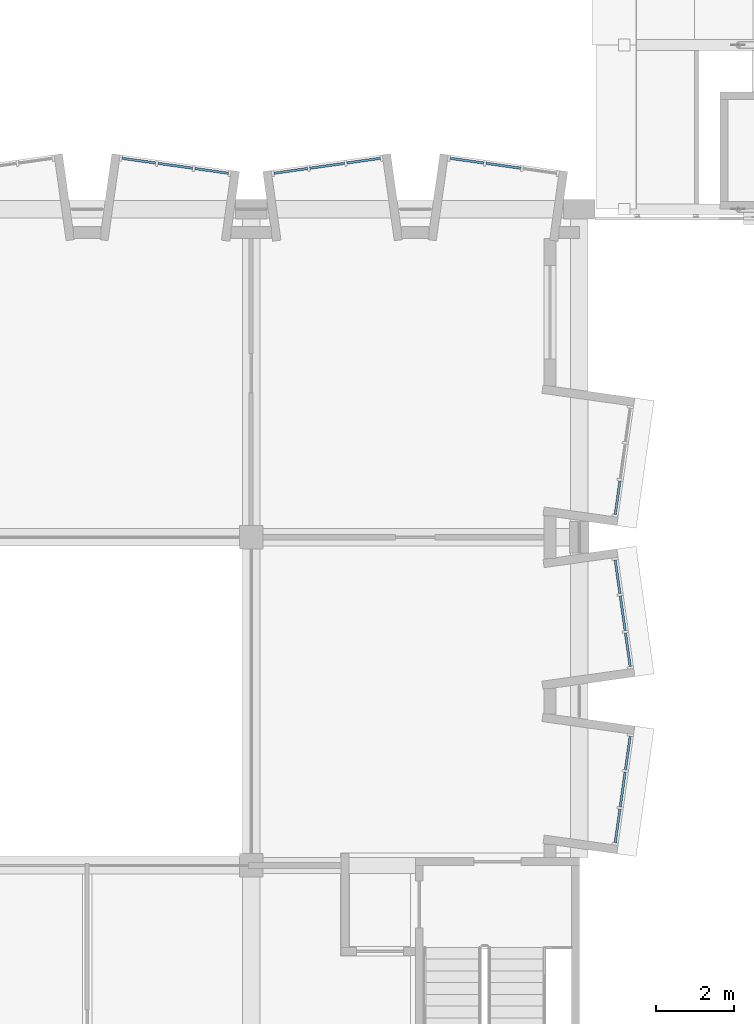
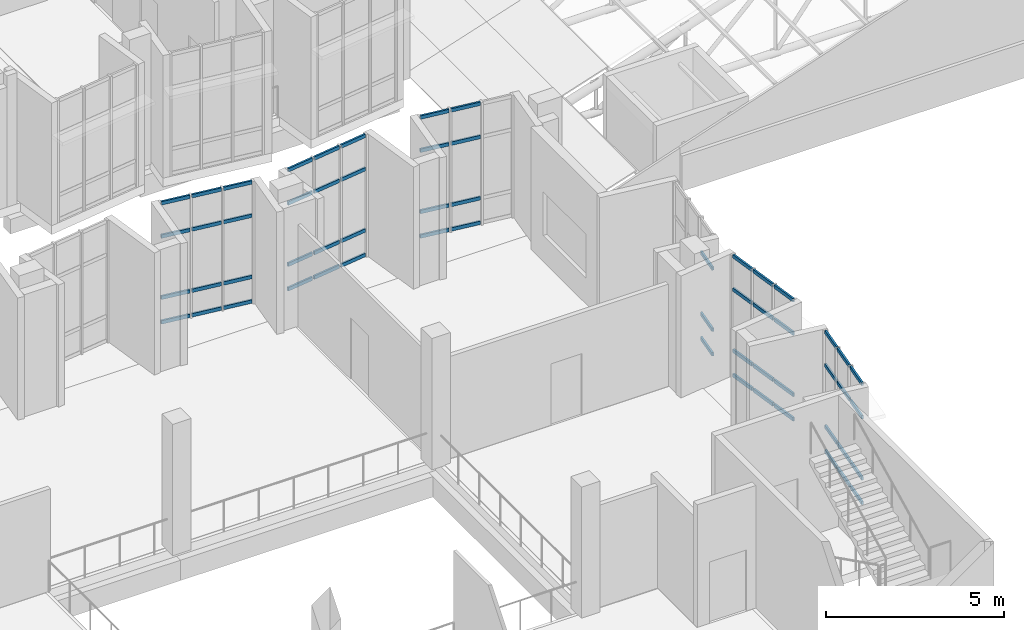
# One storey, part 58 of 95: 59 members, 6 elements without a shape of their own.
"""IFC4 building model written with IfcOpenShell, lengths in metres."""

from ifc_helpers import new_model, si_unit, direction, frame, origin, origin_2d, place, context, subcontext, project, spatial, rectangle, extrude, material, layer, layer_set, material_profile, profile_set, type_object, element, aggregate, save


model = new_model("IFC4")

# Units and contexts
model_context = context("Model", 3, precision=1e-05, world=origin(), true_north=direction((0.0, 1.0)))
body_context = subcontext(model_context, "Body", "Model", "MODEL_VIEW")
ifc_project = project(units=[si_unit("LENGTHUNIT", "METRE"), si_unit("AREAUNIT", "SQUARE_METRE"), si_unit("VOLUMEUNIT", "CUBIC_METRE"), si_unit("PLANEANGLEUNIT", "RADIAN"), si_unit("MASSUNIT", "GRAM", prefix="KILO")], contexts=[model_context])

# Site, building, storey
site_placement = place(None, origin())
site = spatial("IfcSite", under=ifc_project, at=site_placement, CompositionType="ELEMENT")
building_placement = place(site_placement, origin())
building = spatial("IfcBuilding", under=site, at=building_placement, Name="Kiln Court Media Centre", CompositionType="ELEMENT")
storey_placement = place(building_placement, frame((0.0, 0.0, 24.60009765625)))
storey = spatial("IfcBuildingStorey", under=building, at=storey_placement, Name="L05", CompositionType="ELEMENT", Elevation=24.60009765625)

# Curtain wall, members
ifc_material_1 = material(Name="Aluminium 6063-T6", Category="aluminium")
ifc_layer = layer(ifc_material_1, 0.1201171875)
ifc_layer_set = layer_set([ifc_layer], Name="Aluminium unitised bay curtain wall")
curtain_wall_type = type_object("IfcCurtainWallType", Name="Aluminium unitised bay curtain wall", PredefinedType="USERDEFINED", material=ifc_layer_set)
curtain_wall_1_placement = place(storey_placement, origin())
curtain_wall_1 = element("IfcCurtainWall", 1, at=curtain_wall_1_placement, inside=storey, type_object=curtain_wall_type, Name="BAY V6A-E-L05-03 front", ObjectType="UNITISED CURTAIN WALL", PredefinedType="USERDEFINED")
ifc_material_2 = material(Name="Aluminium 6063-T6", Category="aluminium")
ifc_material_profile = material_profile(ifc_material_2, rectangle(XDim=0.06005859375, YDim=0.1201171875, at=origin_2d()), Name="Aluminium transom 60x120")
ifc_profile_set = profile_set([ifc_material_profile], Name="Aluminium 6063-T6")
member_type = type_object("IfcMemberType", Name="Aluminium transom 60x120", PredefinedType="USERDEFINED", material=ifc_profile_set)
member_1_placement = place(storey_placement, frame((34.517822265625, 8.982421875, 0.059814453125), z_axis=(0.139133998951, 0.990273563383, 0.0), x_axis=(-0.990273563383, 0.139133998951, 0.0)))
member_1 = element("IfcMember", 2, at=member_1_placement, type_object=member_type, Name="CW5-05 transom 1.1", ObjectType="TRANSOM", PredefinedType="USERDEFINED", context=body_context, shape_type="SweptSolid", body=[
    extrude(rectangle(XDim=0.06005859375, YDim=0.1201171875, at=origin_2d()), origin(), (0.0, 0.0, 1.0), 0.866943359375),
])
member_2_placement = place(storey_placement, frame((34.517822265625, 8.982421875, 0.89990234375), z_axis=(0.139133998951, 0.990273563383, 0.0), x_axis=(-0.990273563383, 0.139133998951, 0.0)))
member_2 = element("IfcMember", 3, at=member_2_placement, type_object=member_type, Name="CW5-05 transom 1.2", ObjectType="TRANSOM", PredefinedType="USERDEFINED", context=body_context, shape_type="SweptSolid", body=[
    extrude(rectangle(XDim=0.06005859375, YDim=0.1201171875, at=origin_2d()), origin(), (0.0, 0.0, 1.0), 0.866943359375),
])
member_3_placement = place(storey_placement, frame((34.517822265625, 8.982421875, 3.0), z_axis=(0.139133998951, 0.990273563383, 0.0), x_axis=(-0.990273563383, 0.139133998951, 0.0)))
member_3 = element("IfcMember", 4, at=member_3_placement, type_object=member_type, Name="CW5-05 transom 1.3", ObjectType="TRANSOM", PredefinedType="USERDEFINED", context=body_context, shape_type="SweptSolid", body=[
    extrude(rectangle(XDim=0.06005859375, YDim=0.1201171875, at=origin_2d()), origin(), (0.0, 0.0, 1.0), 0.866943359375),
])
member_4_placement = place(storey_placement, frame((34.517822265625, 8.982421875, 4.139892578125), z_axis=(0.139133998951, 0.990273563383, 0.0), x_axis=(-0.990273563383, 0.139133998951, 0.0)))
member_4 = element("IfcMember", 5, at=member_4_placement, type_object=member_type, Name="CW5-05 transom 1.4", ObjectType="TRANSOM", PredefinedType="USERDEFINED", context=body_context, shape_type="SweptSolid", body=[
    extrude(rectangle(XDim=0.06005859375, YDim=0.1201171875, at=origin_2d()), origin(), (0.0, 0.0, 1.0), 0.866943359375),
])
member_5_placement = place(storey_placement, frame((34.646728515625, 9.900146484375, 0.059814453125), z_axis=(0.13913384707, 0.990273584723, 0.0), x_axis=(-0.990273584723, 0.13913384707, 0.0)))
member_5 = element("IfcMember", 6, at=member_5_placement, type_object=member_type, Name="CW5-05 transom 2.1", ObjectType="TRANSOM", PredefinedType="USERDEFINED", context=body_context, shape_type="SweptSolid", body=[
    extrude(rectangle(XDim=0.06005859375, YDim=0.1201171875, at=origin_2d()), origin(), (0.0, 0.0, 1.0), 0.896728515625),
])
member_6_placement = place(storey_placement, frame((34.646728515625, 9.900146484375, 0.89990234375), z_axis=(0.13913384707, 0.990273584723, 0.0), x_axis=(-0.990273584723, 0.13913384707, 0.0)))
member_6 = element("IfcMember", 7, at=member_6_placement, type_object=member_type, Name="CW5-05 transom 2.2", ObjectType="TRANSOM", PredefinedType="USERDEFINED", context=body_context, shape_type="SweptSolid", body=[
    extrude(rectangle(XDim=0.06005859375, YDim=0.1201171875, at=origin_2d()), origin(), (0.0, 0.0, 1.0), 0.896728515625),
])
member_7_placement = place(storey_placement, frame((34.646728515625, 9.900146484375, 3.0), z_axis=(0.13913384707, 0.990273584723, 0.0), x_axis=(-0.990273584723, 0.13913384707, 0.0)))
member_7 = element("IfcMember", 8, at=member_7_placement, type_object=member_type, Name="CW5-05 transom 2.3", ObjectType="TRANSOM", PredefinedType="USERDEFINED", context=body_context, shape_type="SweptSolid", body=[
    extrude(rectangle(XDim=0.06005859375, YDim=0.1201171875, at=origin_2d()), origin(), (0.0, 0.0, 1.0), 0.896728515625),
])
member_8_placement = place(storey_placement, frame((34.646728515625, 9.900146484375, 4.139892578125), z_axis=(0.13913384707, 0.990273584723, 0.0), x_axis=(-0.990273584723, 0.13913384707, 0.0)))
member_8 = element("IfcMember", 9, at=member_8_placement, type_object=member_type, Name="CW5-05 transom 2.4", ObjectType="TRANSOM", PredefinedType="USERDEFINED", context=body_context, shape_type="SweptSolid", body=[
    extrude(rectangle(XDim=0.06005859375, YDim=0.1201171875, at=origin_2d()), origin(), (0.0, 0.0, 1.0), 0.896728515625),
])
member_9_placement = place(storey_placement, frame((34.77978515625, 10.84765625, 0.059814453125), z_axis=(0.139172815303, 0.990268108888, 0.0), x_axis=(-0.990268108888, 0.139172815303, 0.0)))
member_9 = element("IfcMember", 10, at=member_9_placement, type_object=member_type, Name="CW5-05 transom 3.1", ObjectType="TRANSOM", PredefinedType="USERDEFINED", context=body_context, shape_type="SweptSolid", body=[
    extrude(rectangle(XDim=0.06005859375, YDim=0.1201171875, at=origin_2d()), origin(), (0.0, 0.0, 1.0), 0.86669921875),
])
member_10_placement = place(storey_placement, frame((34.77978515625, 10.84765625, 0.89990234375), z_axis=(0.139172815303, 0.990268108888, 0.0), x_axis=(-0.990268108888, 0.139172815303, 0.0)))
member_10 = element("IfcMember", 11, at=member_10_placement, type_object=member_type, Name="CW5-05 transom 3.2", ObjectType="TRANSOM", PredefinedType="USERDEFINED", context=body_context, shape_type="SweptSolid", body=[
    extrude(rectangle(XDim=0.06005859375, YDim=0.1201171875, at=origin_2d()), origin(), (0.0, 0.0, 1.0), 0.86669921875),
])
member_11_placement = place(storey_placement, frame((34.77978515625, 10.84765625, 3.0), z_axis=(0.139172815303, 0.990268108888, 0.0), x_axis=(-0.990268108888, 0.139172815303, 0.0)))
member_11 = element("IfcMember", 12, at=member_11_placement, type_object=member_type, Name="CW5-05 transom 3.3", ObjectType="TRANSOM", PredefinedType="USERDEFINED", context=body_context, shape_type="SweptSolid", body=[
    extrude(rectangle(XDim=0.06005859375, YDim=0.1201171875, at=origin_2d()), origin(), (0.0, 0.0, 1.0), 0.86669921875),
])
member_12_placement = place(storey_placement, frame((34.77978515625, 10.84765625, 4.139892578125), z_axis=(0.139172815303, 0.990268108888, 0.0), x_axis=(-0.990268108888, 0.139172815303, 0.0)))
member_12 = element("IfcMember", 13, at=member_12_placement, type_object=member_type, Name="CW5-05 transom 3.4", ObjectType="TRANSOM", PredefinedType="USERDEFINED", context=body_context, shape_type="SweptSolid", body=[
    extrude(rectangle(XDim=0.06005859375, YDim=0.1201171875, at=origin_2d()), origin(), (0.0, 0.0, 1.0), 0.86669921875),
])
aggregate(curtain_wall_1, [member_1, member_2, member_3, member_4, member_5, member_6, member_7, member_8, member_9, member_10, member_11, member_12])

curtain_wall_2_placement = place(storey_placement, origin())
curtain_wall_2 = element("IfcCurtainWall", 14, at=curtain_wall_2_placement, inside=storey, type_object=curtain_wall_type, Name="BAY V6A-E-L05-04 front", ObjectType="UNITISED CURTAIN WALL", PredefinedType="USERDEFINED")
member_13_placement = place(storey_placement, frame((34.900390625, 13.494140625, 0.059814453125), z_axis=(-0.139133998951, 0.990273563383, 0.0), x_axis=(-0.990273563383, -0.139133998951, 0.0)))
member_13 = element("IfcMember", 15, at=member_13_placement, type_object=member_type, Name="CW5-06 transom 1.1", ObjectType="TRANSOM", PredefinedType="USERDEFINED", context=body_context, shape_type="SweptSolid", body=[
    extrude(rectangle(XDim=0.06005859375, YDim=0.1201171875, at=origin_2d()), origin(), (0.0, 0.0, 1.0), 0.866943359375),
])
member_14_placement = place(storey_placement, frame((34.900390625, 13.494140625, 0.89990234375), z_axis=(-0.139133998951, 0.990273563383, 0.0), x_axis=(-0.990273563383, -0.139133998951, 0.0)))
member_14 = element("IfcMember", 16, at=member_14_placement, type_object=member_type, Name="CW5-06 transom 1.2", ObjectType="TRANSOM", PredefinedType="USERDEFINED", context=body_context, shape_type="SweptSolid", body=[
    extrude(rectangle(XDim=0.06005859375, YDim=0.1201171875, at=origin_2d()), origin(), (0.0, 0.0, 1.0), 0.866943359375),
])
member_15_placement = place(storey_placement, frame((34.900390625, 13.494140625, 3.0), z_axis=(-0.139133998951, 0.990273563383, 0.0), x_axis=(-0.990273563383, -0.139133998951, 0.0)))
member_15 = element("IfcMember", 17, at=member_15_placement, type_object=member_type, Name="CW5-06 transom 1.3", ObjectType="TRANSOM", PredefinedType="USERDEFINED", context=body_context, shape_type="SweptSolid", body=[
    extrude(rectangle(XDim=0.06005859375, YDim=0.1201171875, at=origin_2d()), origin(), (0.0, 0.0, 1.0), 0.866943359375),
])
member_16_placement = place(storey_placement, frame((34.900390625, 13.494140625, 4.139892578125), z_axis=(-0.139133998951, 0.990273563383, 0.0), x_axis=(-0.990273563383, -0.139133998951, 0.0)))
member_16 = element("IfcMember", 18, at=member_16_placement, type_object=member_type, Name="CW5-06 transom 1.4", ObjectType="TRANSOM", PredefinedType="USERDEFINED", context=body_context, shape_type="SweptSolid", body=[
    extrude(rectangle(XDim=0.06005859375, YDim=0.1201171875, at=origin_2d()), origin(), (0.0, 0.0, 1.0), 0.866943359375),
])
member_17_placement = place(storey_placement, frame((34.771484375, 14.411865234375, 0.059814453125), z_axis=(-0.13913384707, 0.990273584723, 0.0), x_axis=(-0.990273584723, -0.13913384707, 0.0)))
member_17 = element("IfcMember", 19, at=member_17_placement, type_object=member_type, Name="CW5-06 transom 2.1", ObjectType="TRANSOM", PredefinedType="USERDEFINED", context=body_context, shape_type="SweptSolid", body=[
    extrude(rectangle(XDim=0.06005859375, YDim=0.1201171875, at=origin_2d()), origin(), (0.0, 0.0, 1.0), 0.896728515625),
])
member_18_placement = place(storey_placement, frame((34.771484375, 14.411865234375, 0.89990234375), z_axis=(-0.13913384707, 0.990273584723, 0.0), x_axis=(-0.990273584723, -0.13913384707, 0.0)))
member_18 = element("IfcMember", 20, at=member_18_placement, type_object=member_type, Name="CW5-06 transom 2.2", ObjectType="TRANSOM", PredefinedType="USERDEFINED", context=body_context, shape_type="SweptSolid", body=[
    extrude(rectangle(XDim=0.06005859375, YDim=0.1201171875, at=origin_2d()), origin(), (0.0, 0.0, 1.0), 0.896728515625),
])
member_19_placement = place(storey_placement, frame((34.771484375, 14.411865234375, 3.0), z_axis=(-0.13913384707, 0.990273584723, 0.0), x_axis=(-0.990273584723, -0.13913384707, 0.0)))
member_19 = element("IfcMember", 21, at=member_19_placement, type_object=member_type, Name="CW5-06 transom 2.3", ObjectType="TRANSOM", PredefinedType="USERDEFINED", context=body_context, shape_type="SweptSolid", body=[
    extrude(rectangle(XDim=0.06005859375, YDim=0.1201171875, at=origin_2d()), origin(), (0.0, 0.0, 1.0), 0.896728515625),
])
member_20_placement = place(storey_placement, frame((34.771484375, 14.411865234375, 4.139892578125), z_axis=(-0.13913384707, 0.990273584723, 0.0), x_axis=(-0.990273584723, -0.13913384707, 0.0)))
member_20 = element("IfcMember", 22, at=member_20_placement, type_object=member_type, Name="CW5-06 transom 2.4", ObjectType="TRANSOM", PredefinedType="USERDEFINED", context=body_context, shape_type="SweptSolid", body=[
    extrude(rectangle(XDim=0.06005859375, YDim=0.1201171875, at=origin_2d()), origin(), (0.0, 0.0, 1.0), 0.896728515625),
])
member_21_placement = place(storey_placement, frame((34.638427734375, 15.359130859375, 0.059814453125), z_axis=(-0.139133998951, 0.990273563383, 0.0), x_axis=(-0.990273563383, -0.139133998951, 0.0)))
member_21 = element("IfcMember", 23, at=member_21_placement, type_object=member_type, Name="CW5-06 transom 3.1", ObjectType="TRANSOM", PredefinedType="USERDEFINED", context=body_context, shape_type="SweptSolid", body=[
    extrude(rectangle(XDim=0.06005859375, YDim=0.1201171875, at=origin_2d()), origin(), (0.0, 0.0, 1.0), 0.866943359375),
])
member_22_placement = place(storey_placement, frame((34.638427734375, 15.359130859375, 0.89990234375), z_axis=(-0.139133998951, 0.990273563383, 0.0), x_axis=(-0.990273563383, -0.139133998951, 0.0)))
member_22 = element("IfcMember", 24, at=member_22_placement, type_object=member_type, Name="CW5-06 transom 3.2", ObjectType="TRANSOM", PredefinedType="USERDEFINED", context=body_context, shape_type="SweptSolid", body=[
    extrude(rectangle(XDim=0.06005859375, YDim=0.1201171875, at=origin_2d()), origin(), (0.0, 0.0, 1.0), 0.866943359375),
])
member_23_placement = place(storey_placement, frame((34.638427734375, 15.359130859375, 3.0), z_axis=(-0.139133998951, 0.990273563383, 0.0), x_axis=(-0.990273563383, -0.139133998951, 0.0)))
member_23 = element("IfcMember", 25, at=member_23_placement, type_object=member_type, Name="CW5-06 transom 3.3", ObjectType="TRANSOM", PredefinedType="USERDEFINED", context=body_context, shape_type="SweptSolid", body=[
    extrude(rectangle(XDim=0.06005859375, YDim=0.1201171875, at=origin_2d()), origin(), (0.0, 0.0, 1.0), 0.866943359375),
])
member_24_placement = place(storey_placement, frame((34.638427734375, 15.359130859375, 4.139892578125), z_axis=(-0.139133998951, 0.990273563383, 0.0), x_axis=(-0.990273563383, -0.139133998951, 0.0)))
member_24 = element("IfcMember", 26, at=member_24_placement, type_object=member_type, Name="CW5-06 transom 3.4", ObjectType="TRANSOM", PredefinedType="USERDEFINED", context=body_context, shape_type="SweptSolid", body=[
    extrude(rectangle(XDim=0.06005859375, YDim=0.1201171875, at=origin_2d()), origin(), (0.0, 0.0, 1.0), 0.866943359375),
])
aggregate(curtain_wall_2, [member_13, member_14, member_15, member_16, member_17, member_18, member_19, member_20, member_21, member_22, member_23, member_24])

curtain_wall_3_placement = place(storey_placement, origin())
curtain_wall_3 = element("IfcCurtainWall", 27, at=curtain_wall_3_placement, inside=storey, type_object=curtain_wall_type, Name="BAY V6A-E-L05-05 front", ObjectType="UNITISED CURTAIN WALL", PredefinedType="USERDEFINED")
member_25_placement = place(storey_placement, frame((34.517822265625, 17.382568359375, 0.059814453125), z_axis=(0.139172815303, 0.990268108888, 0.0), x_axis=(-0.990268108888, 0.139172815303, 0.0)))
member_25 = element("IfcMember", 28, at=member_25_placement, type_object=member_type, Name="CW5-07 transom 1.1", ObjectType="TRANSOM", PredefinedType="USERDEFINED", context=body_context, shape_type="SweptSolid", body=[
    extrude(rectangle(XDim=0.06005859375, YDim=0.1201171875, at=origin_2d()), origin(), (0.0, 0.0, 1.0), 0.86669921875),
])
member_26_placement = place(storey_placement, frame((34.517822265625, 17.382568359375, 0.89990234375), z_axis=(0.139172815303, 0.990268108888, 0.0), x_axis=(-0.990268108888, 0.139172815303, 0.0)))
member_26 = element("IfcMember", 29, at=member_26_placement, type_object=member_type, Name="CW5-07 transom 1.2", ObjectType="TRANSOM", PredefinedType="USERDEFINED", context=body_context, shape_type="SweptSolid", body=[
    extrude(rectangle(XDim=0.06005859375, YDim=0.1201171875, at=origin_2d()), origin(), (0.0, 0.0, 1.0), 0.86669921875),
])
member_27_placement = place(storey_placement, frame((34.517822265625, 17.382568359375, 3.0), z_axis=(0.139172815303, 0.990268108888, 0.0), x_axis=(-0.990268108888, 0.139172815303, 0.0)))
member_27 = element("IfcMember", 30, at=member_27_placement, type_object=member_type, Name="CW5-07 transom 1.3", ObjectType="TRANSOM", PredefinedType="USERDEFINED", context=body_context, shape_type="SweptSolid", body=[
    extrude(rectangle(XDim=0.06005859375, YDim=0.1201171875, at=origin_2d()), origin(), (0.0, 0.0, 1.0), 0.86669921875),
])
aggregate(curtain_wall_3, [member_25, member_26, member_27])

curtain_wall_4_placement = place(storey_placement, origin())
curtain_wall_4 = element("IfcCurtainWall", 31, at=curtain_wall_4_placement, inside=storey, type_object=curtain_wall_type, Name="BAY V6A-N-L05-34 front", ObjectType="UNITISED CURTAIN WALL", PredefinedType="USERDEFINED")
member_28_placement = place(storey_placement, frame((21.894287109375, 26.50048828125, 0.059814453125), z_axis=(0.990268108888, -0.139172815303, 0.0), x_axis=(0.139172815303, 0.990268108888, 0.0)))
member_28 = element("IfcMember", 32, at=member_28_placement, type_object=member_type, Name="CW5-12 transom 1.1", ObjectType="TRANSOM", PredefinedType="USERDEFINED", context=body_context, shape_type="SweptSolid", body=[
    extrude(rectangle(XDim=0.06005859375, YDim=0.1201171875, at=origin_2d()), origin(), (0.0, 0.0, 1.0), 0.86669921875),
])
member_29_placement = place(storey_placement, frame((21.894287109375, 26.50048828125, 0.89990234375), z_axis=(0.990268108888, -0.139172815303, 0.0), x_axis=(0.139172815303, 0.990268108888, 0.0)))
member_29 = element("IfcMember", 33, at=member_29_placement, type_object=member_type, Name="CW5-12 transom 1.2", ObjectType="TRANSOM", PredefinedType="USERDEFINED", context=body_context, shape_type="SweptSolid", body=[
    extrude(rectangle(XDim=0.06005859375, YDim=0.1201171875, at=origin_2d()), origin(), (0.0, 0.0, 1.0), 0.86669921875),
])
member_30_placement = place(storey_placement, frame((21.894287109375, 26.50048828125, 3.0), z_axis=(0.990268108888, -0.139172815303, 0.0), x_axis=(0.139172815303, 0.990268108888, 0.0)))
member_30 = element("IfcMember", 34, at=member_30_placement, type_object=member_type, Name="CW5-12 transom 1.3", ObjectType="TRANSOM", PredefinedType="USERDEFINED", context=body_context, shape_type="SweptSolid", body=[
    extrude(rectangle(XDim=0.06005859375, YDim=0.1201171875, at=origin_2d()), origin(), (0.0, 0.0, 1.0), 0.86669921875),
])
member_31_placement = place(storey_placement, frame((21.894287109375, 26.50048828125, 4.139892578125), z_axis=(0.990268108888, -0.139172815303, 0.0), x_axis=(0.139172815303, 0.990268108888, 0.0)))
member_31 = element("IfcMember", 35, at=member_31_placement, type_object=member_type, Name="CW5-12 transom 1.4", ObjectType="TRANSOM", PredefinedType="USERDEFINED", context=body_context, shape_type="SweptSolid", body=[
    extrude(rectangle(XDim=0.06005859375, YDim=0.1201171875, at=origin_2d()), origin(), (0.0, 0.0, 1.0), 0.86669921875),
])
member_32_placement = place(storey_placement, frame((22.811767578125, 26.37158203125, 0.059814453125), z_axis=(0.990273584723, -0.13913384707, 0.0), x_axis=(0.13913384707, 0.990273584723, 0.0)))
member_32 = element("IfcMember", 36, at=member_32_placement, type_object=member_type, Name="CW5-12 transom 2.1", ObjectType="TRANSOM", PredefinedType="USERDEFINED", context=body_context, shape_type="SweptSolid", body=[
    extrude(rectangle(XDim=0.06005859375, YDim=0.1201171875, at=origin_2d()), origin(), (0.0, 0.0, 1.0), 0.896728515625),
])
member_33_placement = place(storey_placement, frame((22.811767578125, 26.37158203125, 0.89990234375), z_axis=(0.990273584723, -0.13913384707, 0.0), x_axis=(0.13913384707, 0.990273584723, 0.0)))
member_33 = element("IfcMember", 37, at=member_33_placement, type_object=member_type, Name="CW5-12 transom 2.2", ObjectType="TRANSOM", PredefinedType="USERDEFINED", context=body_context, shape_type="SweptSolid", body=[
    extrude(rectangle(XDim=0.06005859375, YDim=0.1201171875, at=origin_2d()), origin(), (0.0, 0.0, 1.0), 0.896728515625),
])
member_34_placement = place(storey_placement, frame((22.811767578125, 26.37158203125, 3.0), z_axis=(0.990273584723, -0.13913384707, 0.0), x_axis=(0.13913384707, 0.990273584723, 0.0)))
member_34 = element("IfcMember", 38, at=member_34_placement, type_object=member_type, Name="CW5-12 transom 2.3", ObjectType="TRANSOM", PredefinedType="USERDEFINED", context=body_context, shape_type="SweptSolid", body=[
    extrude(rectangle(XDim=0.06005859375, YDim=0.1201171875, at=origin_2d()), origin(), (0.0, 0.0, 1.0), 0.896728515625),
])
member_35_placement = place(storey_placement, frame((22.811767578125, 26.37158203125, 4.139892578125), z_axis=(0.990273584723, -0.13913384707, 0.0), x_axis=(0.13913384707, 0.990273584723, 0.0)))
member_35 = element("IfcMember", 39, at=member_35_placement, type_object=member_type, Name="CW5-12 transom 2.4", ObjectType="TRANSOM", PredefinedType="USERDEFINED", context=body_context, shape_type="SweptSolid", body=[
    extrude(rectangle(XDim=0.06005859375, YDim=0.1201171875, at=origin_2d()), origin(), (0.0, 0.0, 1.0), 0.896728515625),
])
member_36_placement = place(storey_placement, frame((23.75927734375, 26.23828125, 0.059814453125), z_axis=(0.990268108888, -0.139172815303, 0.0), x_axis=(0.139172815303, 0.990268108888, 0.0)))
member_36 = element("IfcMember", 40, at=member_36_placement, type_object=member_type, Name="CW5-12 transom 3.1", ObjectType="TRANSOM", PredefinedType="USERDEFINED", context=body_context, shape_type="SweptSolid", body=[
    extrude(rectangle(XDim=0.06005859375, YDim=0.1201171875, at=origin_2d()), origin(), (0.0, 0.0, 1.0), 0.86669921875),
])
member_37_placement = place(storey_placement, frame((23.75927734375, 26.23828125, 0.89990234375), z_axis=(0.990268108888, -0.139172815303, 0.0), x_axis=(0.139172815303, 0.990268108888, 0.0)))
member_37 = element("IfcMember", 41, at=member_37_placement, type_object=member_type, Name="CW5-12 transom 3.2", ObjectType="TRANSOM", PredefinedType="USERDEFINED", context=body_context, shape_type="SweptSolid", body=[
    extrude(rectangle(XDim=0.06005859375, YDim=0.1201171875, at=origin_2d()), origin(), (0.0, 0.0, 1.0), 0.86669921875),
])
member_38_placement = place(storey_placement, frame((23.75927734375, 26.23828125, 3.0), z_axis=(0.990268108888, -0.139172815303, 0.0), x_axis=(0.139172815303, 0.990268108888, 0.0)))
member_38 = element("IfcMember", 42, at=member_38_placement, type_object=member_type, Name="CW5-12 transom 3.3", ObjectType="TRANSOM", PredefinedType="USERDEFINED", context=body_context, shape_type="SweptSolid", body=[
    extrude(rectangle(XDim=0.06005859375, YDim=0.1201171875, at=origin_2d()), origin(), (0.0, 0.0, 1.0), 0.86669921875),
])
member_39_placement = place(storey_placement, frame((23.75927734375, 26.23828125, 4.139892578125), z_axis=(0.990268108888, -0.139172815303, 0.0), x_axis=(0.139172815303, 0.990268108888, 0.0)))
member_39 = element("IfcMember", 43, at=member_39_placement, type_object=member_type, Name="CW5-12 transom 3.4", ObjectType="TRANSOM", PredefinedType="USERDEFINED", context=body_context, shape_type="SweptSolid", body=[
    extrude(rectangle(XDim=0.06005859375, YDim=0.1201171875, at=origin_2d()), origin(), (0.0, 0.0, 1.0), 0.86669921875),
])
aggregate(curtain_wall_4, [member_28, member_29, member_30, member_31, member_32, member_33, member_34, member_35, member_36, member_37, member_38, member_39])

curtain_wall_5_placement = place(storey_placement, origin())
curtain_wall_5 = element("IfcCurtainWall", 44, at=curtain_wall_5_placement, inside=storey, type_object=curtain_wall_type, Name="BAY V6A-N-L05-35 front", ObjectType="UNITISED CURTAIN WALL", PredefinedType="USERDEFINED")
member_40_placement = place(storey_placement, frame((25.782470703125, 26.11767578125, 0.059814453125), z_axis=(0.990273563383, 0.139133998951, 0.0), x_axis=(-0.139133998951, 0.990273563383, 0.0)))
member_40 = element("IfcMember", 45, at=member_40_placement, type_object=member_type, Name="CW5-13 transom 1.1", ObjectType="TRANSOM", PredefinedType="USERDEFINED", context=body_context, shape_type="SweptSolid", body=[
    extrude(rectangle(XDim=0.06005859375, YDim=0.1201171875, at=origin_2d()), origin(), (0.0, 0.0, 1.0), 0.866943359375),
])
member_41_placement = place(storey_placement, frame((25.782470703125, 26.11767578125, 0.89990234375), z_axis=(0.990273563383, 0.139133998951, 0.0), x_axis=(-0.139133998951, 0.990273563383, 0.0)))
member_41 = element("IfcMember", 46, at=member_41_placement, type_object=member_type, Name="CW5-13 transom 1.2", ObjectType="TRANSOM", PredefinedType="USERDEFINED", context=body_context, shape_type="SweptSolid", body=[
    extrude(rectangle(XDim=0.06005859375, YDim=0.1201171875, at=origin_2d()), origin(), (0.0, 0.0, 1.0), 0.866943359375),
])
member_42_placement = place(storey_placement, frame((25.782470703125, 26.11767578125, 3.0), z_axis=(0.990273563383, 0.139133998951, 0.0), x_axis=(-0.139133998951, 0.990273563383, 0.0)))
member_42 = element("IfcMember", 47, at=member_42_placement, type_object=member_type, Name="CW5-13 transom 1.3", ObjectType="TRANSOM", PredefinedType="USERDEFINED", context=body_context, shape_type="SweptSolid", body=[
    extrude(rectangle(XDim=0.06005859375, YDim=0.1201171875, at=origin_2d()), origin(), (0.0, 0.0, 1.0), 0.866943359375),
])
member_43_placement = place(storey_placement, frame((25.782470703125, 26.11767578125, 4.139892578125), z_axis=(0.990273563383, 0.139133998951, 0.0), x_axis=(-0.139133998951, 0.990273563383, 0.0)))
member_43 = element("IfcMember", 48, at=member_43_placement, type_object=member_type, Name="CW5-13 transom 1.4", ObjectType="TRANSOM", PredefinedType="USERDEFINED", context=body_context, shape_type="SweptSolid", body=[
    extrude(rectangle(XDim=0.06005859375, YDim=0.1201171875, at=origin_2d()), origin(), (0.0, 0.0, 1.0), 0.866943359375),
])
member_44_placement = place(storey_placement, frame((26.7001953125, 26.246826171875, 0.059814453125), z_axis=(0.990273584723, 0.13913384707, 0.0), x_axis=(-0.13913384707, 0.990273584723, 0.0)))
member_44 = element("IfcMember", 49, at=member_44_placement, type_object=member_type, Name="CW5-13 transom 2.1", ObjectType="TRANSOM", PredefinedType="USERDEFINED", context=body_context, shape_type="SweptSolid", body=[
    extrude(rectangle(XDim=0.06005859375, YDim=0.1201171875, at=origin_2d()), origin(), (0.0, 0.0, 1.0), 0.896728515625),
])
member_45_placement = place(storey_placement, frame((26.7001953125, 26.246826171875, 0.89990234375), z_axis=(0.990273584723, 0.13913384707, 0.0), x_axis=(-0.13913384707, 0.990273584723, 0.0)))
member_45 = element("IfcMember", 50, at=member_45_placement, type_object=member_type, Name="CW5-13 transom 2.2", ObjectType="TRANSOM", PredefinedType="USERDEFINED", context=body_context, shape_type="SweptSolid", body=[
    extrude(rectangle(XDim=0.06005859375, YDim=0.1201171875, at=origin_2d()), origin(), (0.0, 0.0, 1.0), 0.896728515625),
])
member_46_placement = place(storey_placement, frame((26.7001953125, 26.246826171875, 3.0), z_axis=(0.990273584723, 0.13913384707, 0.0), x_axis=(-0.13913384707, 0.990273584723, 0.0)))
member_46 = element("IfcMember", 51, at=member_46_placement, type_object=member_type, Name="CW5-13 transom 2.3", ObjectType="TRANSOM", PredefinedType="USERDEFINED", context=body_context, shape_type="SweptSolid", body=[
    extrude(rectangle(XDim=0.06005859375, YDim=0.1201171875, at=origin_2d()), origin(), (0.0, 0.0, 1.0), 0.896728515625),
])
member_47_placement = place(storey_placement, frame((26.7001953125, 26.246826171875, 4.139892578125), z_axis=(0.990273584723, 0.13913384707, 0.0), x_axis=(-0.13913384707, 0.990273584723, 0.0)))
member_47 = element("IfcMember", 52, at=member_47_placement, type_object=member_type, Name="CW5-13 transom 2.4", ObjectType="TRANSOM", PredefinedType="USERDEFINED", context=body_context, shape_type="SweptSolid", body=[
    extrude(rectangle(XDim=0.06005859375, YDim=0.1201171875, at=origin_2d()), origin(), (0.0, 0.0, 1.0), 0.896728515625),
])
member_48_placement = place(storey_placement, frame((27.6474609375, 26.3798828125, 0.059814453125), z_axis=(0.990273563383, 0.139133998951, 0.0), x_axis=(-0.139133998951, 0.990273563383, 0.0)))
member_48 = element("IfcMember", 53, at=member_48_placement, type_object=member_type, Name="CW5-13 transom 3.1", ObjectType="TRANSOM", PredefinedType="USERDEFINED", context=body_context, shape_type="SweptSolid", body=[
    extrude(rectangle(XDim=0.06005859375, YDim=0.1201171875, at=origin_2d()), origin(), (0.0, 0.0, 1.0), 0.866943359375),
])
member_49_placement = place(storey_placement, frame((27.6474609375, 26.3798828125, 0.89990234375), z_axis=(0.990273563383, 0.139133998951, 0.0), x_axis=(-0.139133998951, 0.990273563383, 0.0)))
member_49 = element("IfcMember", 54, at=member_49_placement, type_object=member_type, Name="CW5-13 transom 3.2", ObjectType="TRANSOM", PredefinedType="USERDEFINED", context=body_context, shape_type="SweptSolid", body=[
    extrude(rectangle(XDim=0.06005859375, YDim=0.1201171875, at=origin_2d()), origin(), (0.0, 0.0, 1.0), 0.866943359375),
])
member_50_placement = place(storey_placement, frame((27.6474609375, 26.3798828125, 3.0), z_axis=(0.990273563383, 0.139133998951, 0.0), x_axis=(-0.139133998951, 0.990273563383, 0.0)))
member_50 = element("IfcMember", 55, at=member_50_placement, type_object=member_type, Name="CW5-13 transom 3.3", ObjectType="TRANSOM", PredefinedType="USERDEFINED", context=body_context, shape_type="SweptSolid", body=[
    extrude(rectangle(XDim=0.06005859375, YDim=0.1201171875, at=origin_2d()), origin(), (0.0, 0.0, 1.0), 0.866943359375),
])
member_51_placement = place(storey_placement, frame((27.6474609375, 26.3798828125, 4.139892578125), z_axis=(0.990273563383, 0.139133998951, 0.0), x_axis=(-0.139133998951, 0.990273563383, 0.0)))
member_51 = element("IfcMember", 56, at=member_51_placement, type_object=member_type, Name="CW5-13 transom 3.4", ObjectType="TRANSOM", PredefinedType="USERDEFINED", context=body_context, shape_type="SweptSolid", body=[
    extrude(rectangle(XDim=0.06005859375, YDim=0.1201171875, at=origin_2d()), origin(), (0.0, 0.0, 1.0), 0.866943359375),
])
aggregate(curtain_wall_5, [member_40, member_41, member_42, member_43, member_44, member_45, member_46, member_47, member_48, member_49, member_50, member_51])

curtain_wall_6_placement = place(storey_placement, origin())
curtain_wall_6 = element("IfcCurtainWall", 57, at=curtain_wall_6_placement, inside=storey, type_object=curtain_wall_type, Name="BAY V6A-N-L05-36 front", ObjectType="UNITISED CURTAIN WALL", PredefinedType="USERDEFINED")
member_52_placement = place(storey_placement, frame((30.294189453125, 26.50048828125, 0.059814453125), z_axis=(0.990268108888, -0.139172815303, 0.0), x_axis=(0.139172815303, 0.990268108888, 0.0)))
member_52 = element("IfcMember", 58, at=member_52_placement, type_object=member_type, Name="CW5-14 transom 1.1", ObjectType="TRANSOM", PredefinedType="USERDEFINED", context=body_context, shape_type="SweptSolid", body=[
    extrude(rectangle(XDim=0.06005859375, YDim=0.1201171875, at=origin_2d()), origin(), (0.0, 0.0, 1.0), 0.86669921875),
])
member_53_placement = place(storey_placement, frame((30.294189453125, 26.50048828125, 0.89990234375), z_axis=(0.990268108888, -0.139172815303, 0.0), x_axis=(0.139172815303, 0.990268108888, 0.0)))
member_53 = element("IfcMember", 59, at=member_53_placement, type_object=member_type, Name="CW5-14 transom 1.2", ObjectType="TRANSOM", PredefinedType="USERDEFINED", context=body_context, shape_type="SweptSolid", body=[
    extrude(rectangle(XDim=0.06005859375, YDim=0.1201171875, at=origin_2d()), origin(), (0.0, 0.0, 1.0), 0.86669921875),
])
member_54_placement = place(storey_placement, frame((30.294189453125, 26.50048828125, 3.0), z_axis=(0.990268108888, -0.139172815303, 0.0), x_axis=(0.139172815303, 0.990268108888, 0.0)))
member_54 = element("IfcMember", 60, at=member_54_placement, type_object=member_type, Name="CW5-14 transom 1.3", ObjectType="TRANSOM", PredefinedType="USERDEFINED", context=body_context, shape_type="SweptSolid", body=[
    extrude(rectangle(XDim=0.06005859375, YDim=0.1201171875, at=origin_2d()), origin(), (0.0, 0.0, 1.0), 0.86669921875),
])
member_55_placement = place(storey_placement, frame((30.294189453125, 26.50048828125, 4.139892578125), z_axis=(0.990268108888, -0.139172815303, 0.0), x_axis=(0.139172815303, 0.990268108888, 0.0)))
member_55 = element("IfcMember", 61, at=member_55_placement, type_object=member_type, Name="CW5-14 transom 1.4", ObjectType="TRANSOM", PredefinedType="USERDEFINED", context=body_context, shape_type="SweptSolid", body=[
    extrude(rectangle(XDim=0.06005859375, YDim=0.1201171875, at=origin_2d()), origin(), (0.0, 0.0, 1.0), 0.86669921875),
])
member_56_placement = place(storey_placement, frame((31.2119140625, 26.37158203125, 0.059814453125), z_axis=(0.990273584723, -0.13913384707, 0.0), x_axis=(0.13913384707, 0.990273584723, 0.0)))
member_56 = element("IfcMember", 62, at=member_56_placement, type_object=member_type, Name="CW5-14 transom 2.1", ObjectType="TRANSOM", PredefinedType="USERDEFINED", context=body_context, shape_type="SweptSolid", body=[
    extrude(rectangle(XDim=0.06005859375, YDim=0.1201171875, at=origin_2d()), origin(), (0.0, 0.0, 1.0), 0.896728515625),
])
member_57_placement = place(storey_placement, frame((31.2119140625, 26.37158203125, 0.89990234375), z_axis=(0.990273584723, -0.13913384707, 0.0), x_axis=(0.13913384707, 0.990273584723, 0.0)))
member_57 = element("IfcMember", 63, at=member_57_placement, type_object=member_type, Name="CW5-14 transom 2.2", ObjectType="TRANSOM", PredefinedType="USERDEFINED", context=body_context, shape_type="SweptSolid", body=[
    extrude(rectangle(XDim=0.06005859375, YDim=0.1201171875, at=origin_2d()), origin(), (0.0, 0.0, 1.0), 0.896728515625),
])
member_58_placement = place(storey_placement, frame((31.2119140625, 26.37158203125, 3.0), z_axis=(0.990273584723, -0.13913384707, 0.0), x_axis=(0.13913384707, 0.990273584723, 0.0)))
member_58 = element("IfcMember", 64, at=member_58_placement, type_object=member_type, Name="CW5-14 transom 2.3", ObjectType="TRANSOM", PredefinedType="USERDEFINED", context=body_context, shape_type="SweptSolid", body=[
    extrude(rectangle(XDim=0.06005859375, YDim=0.1201171875, at=origin_2d()), origin(), (0.0, 0.0, 1.0), 0.896728515625),
])
member_59_placement = place(storey_placement, frame((31.2119140625, 26.37158203125, 4.139892578125), z_axis=(0.990273584723, -0.13913384707, 0.0), x_axis=(0.13913384707, 0.990273584723, 0.0)))
member_59 = element("IfcMember", 65, at=member_59_placement, type_object=member_type, Name="CW5-14 transom 2.4", ObjectType="TRANSOM", PredefinedType="USERDEFINED", context=body_context, shape_type="SweptSolid", body=[
    extrude(rectangle(XDim=0.06005859375, YDim=0.1201171875, at=origin_2d()), origin(), (0.0, 0.0, 1.0), 0.896728515625),
])
aggregate(curtain_wall_6, [member_52, member_53, member_54, member_55, member_56, member_57, member_58, member_59])

save(model, "model.ifc")
